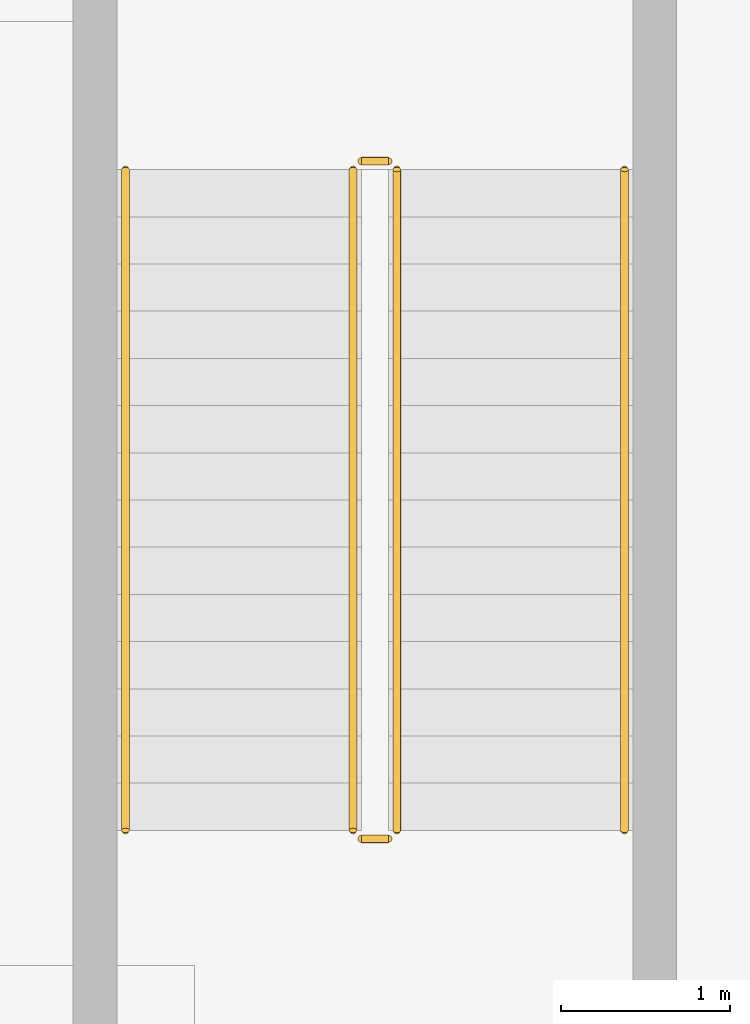
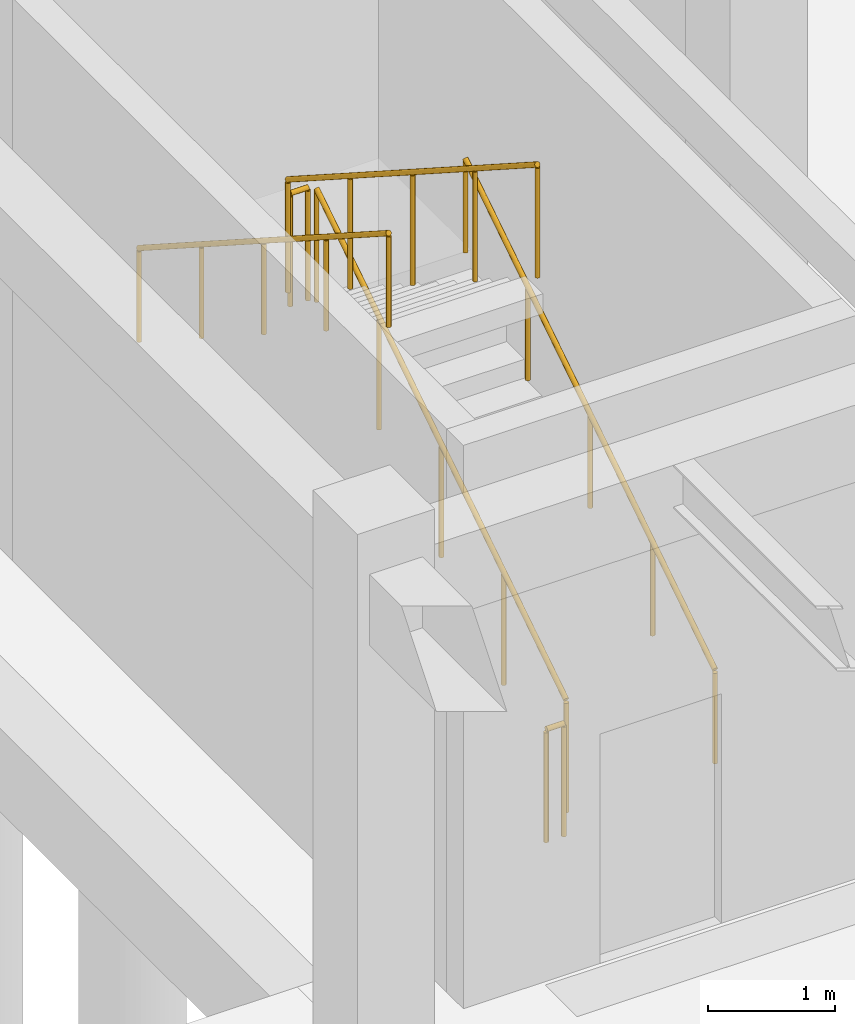
# One storey, part 43 of 44: 6 railings.
"""IFC4 building model written with IfcOpenShell, lengths in metres."""

from ifc_helpers import new_model, si_unit, direction, frame, origin, origin_2d, place, context, subcontext, project, spatial, circle, extrude, material, type_object, element, save


model = new_model("IFC4")

# Units and contexts
model_context = context("Model", 3, precision=1e-05, world=origin(), true_north=direction((0.0, 1.0)))
body_context = subcontext(model_context, "Body", "Model", "MODEL_VIEW")
ifc_project = project(units=[si_unit("LENGTHUNIT", "METRE"), si_unit("AREAUNIT", "SQUARE_METRE"), si_unit("VOLUMEUNIT", "CUBIC_METRE"), si_unit("PLANEANGLEUNIT", "RADIAN"), si_unit("MASSUNIT", "GRAM", prefix="KILO")], contexts=[model_context])

# Site, building, storey
site_placement = place(None, origin())
site = spatial("IfcSite", under=ifc_project, at=site_placement, CompositionType="ELEMENT")
building_placement = place(site_placement, origin())
building = spatial("IfcBuilding", under=site, at=building_placement, Name="Pecanmere Concourse Central Library", CompositionType="ELEMENT")
storey_placement = place(building_placement, frame((0.0, 0.0, -5.39990234375)))
storey = spatial("IfcBuildingStorey", under=building, at=storey_placement, Name="B1", CompositionType="ELEMENT", Elevation=-5.39990234375)

# Railings
ifc_material_1 = material(Name="Painted architectural steel ASTM A36", Category="steel")
railing_type_1 = type_object("IfcRailingType", Name="RAIL_STAIR_GUARD", PredefinedType="GUARDRAIL", material=ifc_material_1)
railing_1_placement = place(storey_placement, frame((130.89990234375, 10.0, 0.179931640625)))
element("IfcRailing", 1, at=railing_1_placement, inside=storey, type_object=railing_type_1, Name="B1 ST-08 Guard 1", PredefinedType="GUARDRAIL", context=body_context, shape_type="SweptSolid", body=[
    extrude(circle(Radius=0.02392578125, at=origin_2d()), frame((0.0, 0.0, 1.076171875), z_axis=(0.0, 0.841171666519, 0.540768182723), x_axis=(-1.0, 0.0, 0.0)), (0.0, 0.0, 1.0), 4.66015625),
    extrude(circle(Radius=0.02099609375, at=origin_2d()), origin(), (0.0, 0.0, 1.0), 1.052001953125),
    extrude(circle(Radius=0.02099609375, at=origin_2d()), frame((0.0, 0.97998046875, 0.6298828125)), (0.0, 0.0, 1.0), 1.052001953125),
    extrude(circle(Radius=0.02099609375, at=origin_2d()), frame((0.0, 1.9599609375, 1.260009765625)), (0.0, 0.0, 1.0), 1.052001953125),
    extrude(circle(Radius=0.02099609375, at=origin_2d()), frame((0.0, 2.93994140625, 1.89013671875)), (0.0, 0.0, 1.0), 1.052001953125),
    extrude(circle(Radius=0.02099609375, at=origin_2d()), frame((0.0, 3.919921875, 2.52001953125)), (0.0, 0.0, 1.0), 1.052001953125),
])
railing_2_placement = place(storey_placement, frame((130.85009765625, 13.969970703125, 2.699951171875)))
element("IfcRailing", 2, at=railing_2_placement, inside=storey, type_object=railing_type_1, Name="B1 ST-08 Guard 2", PredefinedType="GUARDRAIL", context=body_context, shape_type="SweptSolid", body=[
    extrude(circle(Radius=0.02392578125, at=origin_2d()), frame((0.0, 0.0, 1.076171875), z_axis=(-1.0, 0.0, 0.0), x_axis=(0.0, -1.0, 0.0)), (0.0, 0.0, 1.0), 0.16015625),
    extrude(circle(Radius=0.02099609375, at=origin_2d()), origin(), (0.0, 0.0, 1.0), 1.052001953125),
    extrude(circle(Radius=0.02099609375, at=origin_2d()), frame((-0.16015625, 0.0, 0.0)), (0.0, 0.0, 1.0), 1.052001953125),
])
railing_3_placement = place(storey_placement, frame((130.639892578125, 13.919921875, 2.8798828125)))
element("IfcRailing", 3, at=railing_3_placement, inside=storey, type_object=railing_type_1, Name="B1 ST-08 Guard 3", PredefinedType="GUARDRAIL", context=body_context, shape_type="SweptSolid", body=[
    extrude(circle(Radius=0.02392578125, at=origin_2d()), frame((0.0, 0.0, 1.076171875), z_axis=(0.0, -0.841171666519, 0.540768182723), x_axis=(1.0, 0.0, 0.0)), (0.0, 0.0, 1.0), 4.66015625),
    extrude(circle(Radius=0.02099609375, at=origin_2d()), origin(), (0.0, 0.0, 1.0), 1.052001953125),
    extrude(circle(Radius=0.02099609375, at=origin_2d()), frame((0.0, -0.97998046875, 0.6298828125)), (0.0, 0.0, 1.0), 1.052001953125),
    extrude(circle(Radius=0.02099609375, at=origin_2d()), frame((0.0, -1.9599609375, 1.260009765625)), (0.0, 0.0, 1.0), 1.052001953125),
    extrude(circle(Radius=0.02099609375, at=origin_2d()), frame((0.0, -2.93994140625, 1.89013671875)), (0.0, 0.0, 1.0), 1.052001953125),
    extrude(circle(Radius=0.02099609375, at=origin_2d()), frame((0.0, -3.919921875, 2.52001953125)), (0.0, 0.0, 1.0), 1.052001953125),
])
railing_4_placement = place(storey_placement, frame((130.85009765625, 9.949951171875, 0.0)))
element("IfcRailing", 4, at=railing_4_placement, inside=storey, type_object=railing_type_1, Name="B1 ST-08 Guard 4", PredefinedType="GUARDRAIL", context=body_context, shape_type="SweptSolid", body=[
    extrude(circle(Radius=0.02392578125, at=origin_2d()), frame((0.0, 0.0, 1.076171875), z_axis=(-1.0, 0.0, 0.0), x_axis=(0.0, -1.0, 0.0)), (0.0, 0.0, 1.0), 0.16015625),
    extrude(circle(Radius=0.02099609375, at=origin_2d()), origin(), (0.0, 0.0, 1.0), 1.052001953125),
    extrude(circle(Radius=0.02099609375, at=origin_2d()), frame((-0.16015625, 0.0, 0.0)), (0.0, 0.0, 1.0), 1.052001953125),
])
ifc_material_2 = material(Name="Brushed stainless steel Grade 316", Category="steel")
railing_type_2 = type_object("IfcRailingType", Name="RAIL_STAIR_HR", PredefinedType="HANDRAIL", material=ifc_material_2)
railing_5_placement = place(storey_placement, frame((132.25, 10.0, 0.179931640625)))
element("IfcRailing", 5, at=railing_5_placement, inside=storey, type_object=railing_type_2, Name="B1 ST-08 Handrail 1", PredefinedType="HANDRAIL", context=body_context, shape_type="SweptSolid", body=[
    extrude(circle(Radius=0.02392578125, at=origin_2d()), frame((0.0, 0.0, 0.89111328125), z_axis=(0.0, 0.841171666519, 0.540768182723), x_axis=(-1.0, 0.0, 0.0)), (0.0, 0.0, 1.0), 4.66015625),
    extrude(circle(Radius=0.02099609375, at=origin_2d()), origin(), (0.0, 0.0, 1.0), 0.866943359375),
    extrude(circle(Radius=0.02099609375, at=origin_2d()), frame((0.0, 0.97998046875, 0.6298828125)), (0.0, 0.0, 1.0), 0.866943359375),
    extrude(circle(Radius=0.02099609375, at=origin_2d()), frame((0.0, 1.9599609375, 1.260009765625)), (0.0, 0.0, 1.0), 0.866943359375),
    extrude(circle(Radius=0.02099609375, at=origin_2d()), frame((0.0, 2.93994140625, 1.89013671875)), (0.0, 0.0, 1.0), 0.866943359375),
    extrude(circle(Radius=0.02099609375, at=origin_2d()), frame((0.0, 3.919921875, 2.52001953125)), (0.0, 0.0, 1.0), 0.866943359375),
])
railing_6_placement = place(storey_placement, frame((129.2900390625, 13.919921875, 2.8798828125)))
element("IfcRailing", 6, at=railing_6_placement, inside=storey, type_object=railing_type_2, Name="B1 ST-08 Handrail 2", PredefinedType="HANDRAIL", context=body_context, shape_type="SweptSolid", body=[
    extrude(circle(Radius=0.02392578125, at=origin_2d()), frame((0.0, 0.0, 0.89111328125), z_axis=(0.0, -0.841171666519, 0.540768182723), x_axis=(1.0, 0.0, 0.0)), (0.0, 0.0, 1.0), 4.66015625),
    extrude(circle(Radius=0.02099609375, at=origin_2d()), origin(), (0.0, 0.0, 1.0), 0.866943359375),
    extrude(circle(Radius=0.02099609375, at=origin_2d()), frame((0.0, -0.97998046875, 0.6298828125)), (0.0, 0.0, 1.0), 0.866943359375),
    extrude(circle(Radius=0.02099609375, at=origin_2d()), frame((0.0, -1.9599609375, 1.260009765625)), (0.0, 0.0, 1.0), 0.866943359375),
    extrude(circle(Radius=0.02099609375, at=origin_2d()), frame((0.0, -2.93994140625, 1.89013671875)), (0.0, 0.0, 1.0), 0.866943359375),
    extrude(circle(Radius=0.02099609375, at=origin_2d()), frame((0.0, -3.919921875, 2.52001953125)), (0.0, 0.0, 1.0), 0.866943359375),
])

save(model, "model.ifc")
